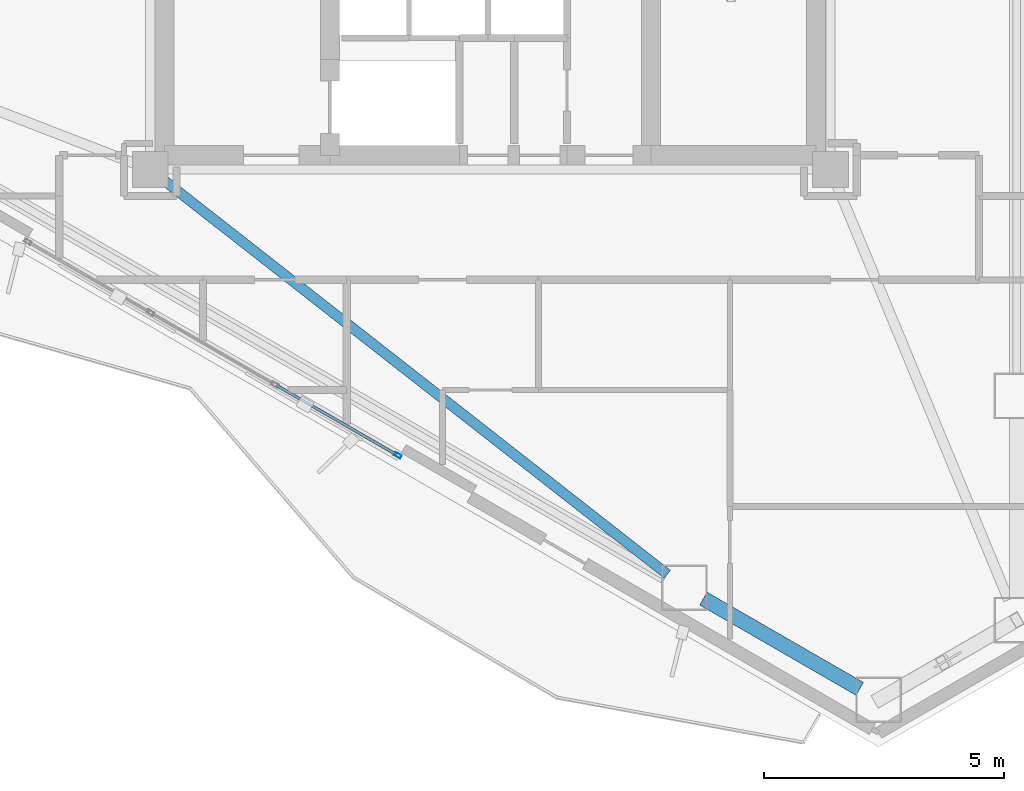
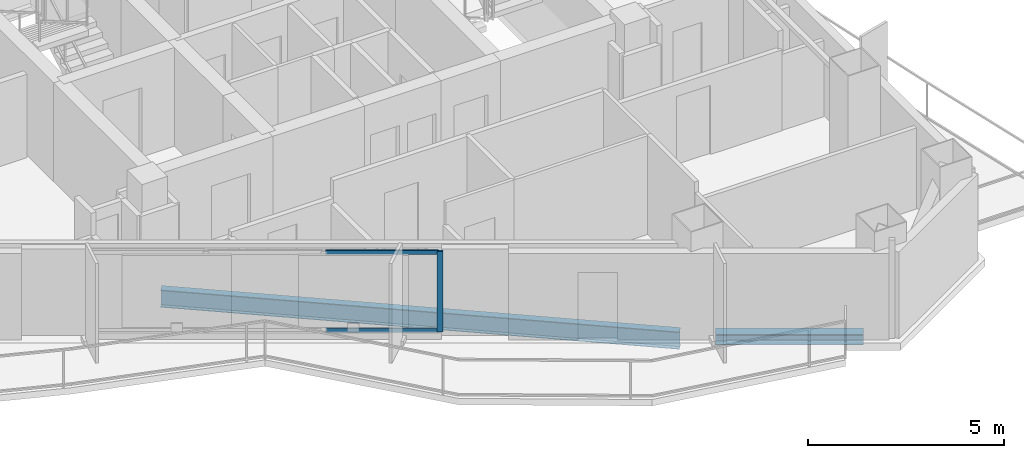
# One storey, part 4 of 21: 3 members, 2 beams, 1 element without a shape of its own.
"""IFC4 building model written with IfcOpenShell, lengths in metres."""

from ifc_helpers import new_model, si_unit, direction, frame, origin, origin_2d, place, context, subcontext, project, spatial, hollow_rectangle, i_section, extrude, material, layer, layer_set, material_profile, profile_set, type_object, element, aggregate, save


model = new_model("IFC4")

# Units and contexts
model_context = context("Model", 3, precision=1e-05, world=origin(), true_north=direction((0.0, 1.0)))
body_context = subcontext(model_context, "Body", "Model", "MODEL_VIEW")
ifc_project = project(units=[si_unit("LENGTHUNIT", "METRE"), si_unit("AREAUNIT", "SQUARE_METRE"), si_unit("VOLUMEUNIT", "CUBIC_METRE"), si_unit("PLANEANGLEUNIT", "RADIAN"), si_unit("MASSUNIT", "GRAM", prefix="KILO")], contexts=[model_context])

# Site, building, storey
site_placement = place(None, origin())
site = spatial("IfcSite", under=ifc_project, at=site_placement, CompositionType="ELEMENT")
building_placement = place(site_placement, origin())
building = spatial("IfcBuilding", under=site, at=building_placement, Name="Mersakhor Tower and Convention Hall", CompositionType="ELEMENT")
storey_placement = place(building_placement, frame((0.0, 0.0, 178.800048828125)))
storey = spatial("IfcBuildingStorey", under=building, at=storey_placement, Name="L49", CompositionType="ELEMENT", Elevation=178.800048828125)

# Beams
ifc_material_1 = material(Name="Steel S355", Category="steel")
ifc_material_profile_1 = material_profile(ifc_material_1, i_section(OverallWidth=0.2099609375, OverallDepth=0.53662109375, WebThickness=0.0107421875, FlangeThickness=0.017333984375, at=origin_2d()), Name="UB 533x210x101")
ifc_profile_set_1 = profile_set([ifc_material_profile_1], Name="Steel S355")
beam_type_1 = type_object("IfcBeamType", Name="BM-FB-533", PredefinedType="BEAM", material=ifc_profile_set_1)
beam_1_placement = place(storey_placement, frame((22.1796875, 20.231201171875, -0.49853515625), z_axis=(0.787496511663, -0.616319109, 0.0), x_axis=(0.616319109, 0.787496511663, 0.0)))
element("IfcBeam", 1, at=beam_1_placement, inside=storey, type_object=beam_type_1, Name="L49 Primary Floor Girder FG-5", PredefinedType="BEAM", context=body_context, shape_type="SweptSolid", body=[
    extrude(i_section(OverallWidth=0.2099609375, OverallDepth=0.53662109375, WebThickness=0.0107421875, FlangeThickness=0.017333984375, at=origin_2d()), origin(), (0.0, 0.0, 1.0), 13.35107421875),
])
ifc_material_2 = material(Name="Steel S355", Category="steel")
ifc_material_profile_2 = material_profile(ifc_material_2, i_section(OverallWidth=0.30908203125, OverallDepth=0.320556640625, WebThickness=0.013916015625, FlangeThickness=0.021728515625, at=origin_2d()), Name="UC 305x305x137")
ifc_profile_set_2 = profile_set([ifc_material_profile_2], Name="Steel S355")
beam_type_2 = type_object("IfcBeamType", Name="BM-SPD-UC305", PredefinedType="SPANDREL", material=ifc_profile_set_2)
beam_2_placement = place(storey_placement, frame((36.710205078125, 9.6103515625, -0.39013671875), z_axis=(-0.866046450459, 0.499963544319, 0.0), x_axis=(-0.499963544319, -0.866046450459, 0.0)))
element("IfcBeam", 2, at=beam_2_placement, inside=storey, type_object=beam_type_2, Name="L49 Perimeter Spandrel Beam SPB-09", PredefinedType="SPANDREL", context=body_context, shape_type="SweptSolid", body=[
    extrude(i_section(OverallWidth=0.30908203125, OverallDepth=0.320556640625, WebThickness=0.013916015625, FlangeThickness=0.021728515625, at=origin_2d()), origin(), (0.0, 0.0, 1.0), 3.769287109375),
])

# Curtain wall, members
ifc_material_3 = material(Name="Dark solar low-E aluminium curtain wall", Category="aluminium")
ifc_layer = layer(ifc_material_3, 0.169921875)
ifc_layer_set = layer_set([ifc_layer], Name="Dark solar low-E aluminium curtain wall")
curtain_wall_type = type_object("IfcCurtainWallType", Name="CW-SYS-02", PredefinedType="USERDEFINED", material=ifc_layer_set)
curtain_wall_placement = place(storey_placement, origin())
curtain_wall = element("IfcCurtainWall", 3, at=curtain_wall_placement, inside=storey, type_object=curtain_wall_type, Name="L49 Dark-Glass Curtain Wall F3-B2", ObjectType="CURTAIN WALL", PredefinedType="USERDEFINED")
ifc_material_4 = material(Name="Anodised aluminium EN AW-6063 T6", Category="aluminium")
ifc_material_profile_3 = material_profile(ifc_material_4, hollow_rectangle(XDim=0.074951171875, YDim=0.14990234375, WallThickness=0.00634765625, at=origin_2d()), Name="RHS 150x75x6.3")
ifc_profile_set_3 = profile_set([ifc_material_profile_3], Name="Anodised aluminium EN AW-6063 T6")
member_type_1 = type_object("IfcMemberType", Name="CWM-150x75", PredefinedType="MULLION", material=ifc_profile_set_3)
member_1_placement = place(storey_placement, frame((27.06982421875, 14.483154296875, 0.199951171875), z_axis=(0.0, 0.0, 1.0), x_axis=(-0.500007824483, -0.86602088627, 0.0)))
member_1 = element("IfcMember", 4, at=member_1_placement, type_object=member_type_1, Name="CW-02 mullion 1", PredefinedType="MULLION", context=body_context, shape_type="SweptSolid", body=[
    extrude(hollow_rectangle(XDim=0.074951171875, YDim=0.14990234375, WallThickness=0.00634765625, at=origin_2d()), origin(), (0.0, 0.0, 1.0), 2.489990234375),
])
ifc_material_5 = material(Name="Anodised aluminium EN AW-6063 T6", Category="aluminium")
ifc_material_profile_4 = material_profile(ifc_material_5, hollow_rectangle(XDim=0.06005859375, YDim=0.1201171875, WallThickness=0.0048828125, at=origin_2d()), Name="RHS 120x60x5")
ifc_profile_set_4 = profile_set([ifc_material_profile_4], Name="Anodised aluminium EN AW-6063 T6")
member_type_2 = type_object("IfcMemberType", Name="CWT-120x60", PredefinedType="USERDEFINED", material=ifc_profile_set_4)
member_2_placement = place(storey_placement, frame((27.037353515625, 14.501953125, 0.22998046875), z_axis=(-0.86601237176, 0.50002257145, 0.0), x_axis=(-0.50002257145, -0.86601237176, 0.0)))
member_2 = element("IfcMember", 5, at=member_2_placement, type_object=member_type_2, Name="CW-02 transom 1.1", ObjectType="TRANSOM", PredefinedType="USERDEFINED", context=body_context, shape_type="SweptSolid", body=[
    extrude(hollow_rectangle(XDim=0.06005859375, YDim=0.1201171875, WallThickness=0.0048828125, at=origin_2d()), origin(), (0.0, 0.0, 1.0), 2.886962890625),
])
member_3_placement = place(storey_placement, frame((27.037353515625, 14.501953125, 2.659912109375), z_axis=(-0.86601237176, 0.50002257145, 0.0), x_axis=(-0.50002257145, -0.86601237176, 0.0)))
member_3 = element("IfcMember", 6, at=member_3_placement, type_object=member_type_2, Name="CW-02 transom 1.2", ObjectType="TRANSOM", PredefinedType="USERDEFINED", context=body_context, shape_type="SweptSolid", body=[
    extrude(hollow_rectangle(XDim=0.06005859375, YDim=0.1201171875, WallThickness=0.0048828125, at=origin_2d()), origin(), (0.0, 0.0, 1.0), 2.886962890625),
])
aggregate(curtain_wall, [member_1, member_2, member_3])

save(model, "model.ifc")
